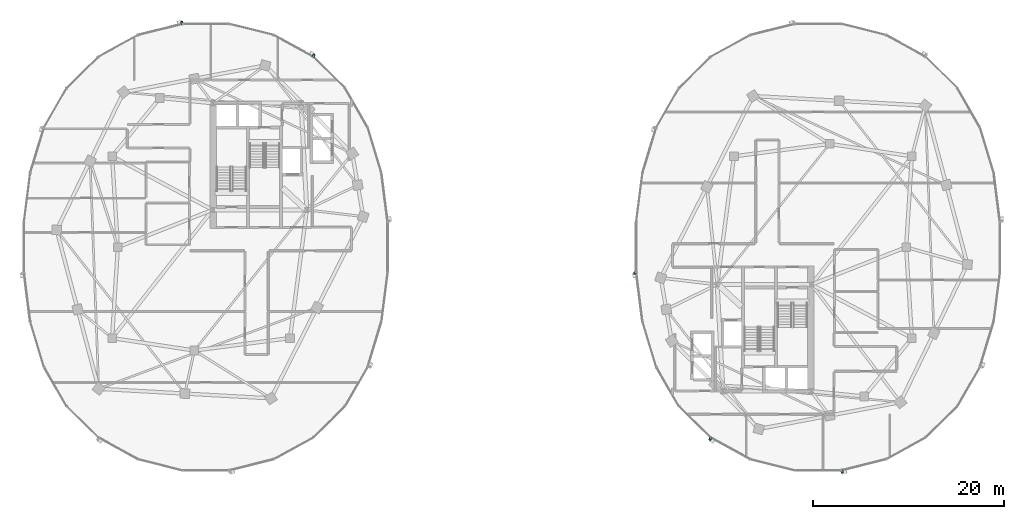
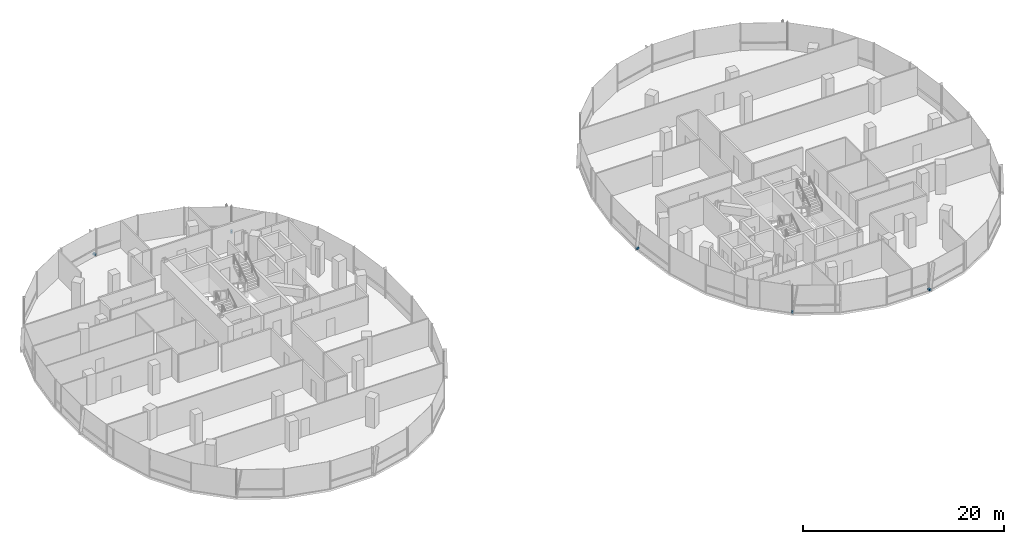
# One storey, part 17 of 23: 5 discrete accessories.
"""IFC4 building model written with IfcOpenShell, lengths in metres."""

from ifc_helpers import new_model, si_unit, direction, frame, origin, origin_2d, place, context, subcontext, project, spatial, rectangle, extrude, material, type_object, element, save


model = new_model("IFC4")

# Units and contexts
model_context = context("Model", 3, precision=1e-05, world=origin(), true_north=direction((0.0, 1.0)))
body_context = subcontext(model_context, "Body", "Model", "MODEL_VIEW")
ifc_project = project(units=[si_unit("LENGTHUNIT", "METRE"), si_unit("AREAUNIT", "SQUARE_METRE"), si_unit("VOLUMEUNIT", "CUBIC_METRE"), si_unit("PLANEANGLEUNIT", "RADIAN"), si_unit("MASSUNIT", "GRAM", prefix="KILO"), si_unit("THERMODYNAMICTEMPERATUREUNIT", "KELVIN"), si_unit("POWERUNIT", "WATT")], contexts=[model_context])

# Site, building, storey
site_placement = place(None, origin())
site = spatial("IfcSite", under=ifc_project, at=site_placement, CompositionType="ELEMENT")
building_placement = place(site_placement, origin())
building = spatial("IfcBuilding", under=site, at=building_placement, Name="Cundina Bronze Exchange", CompositionType="ELEMENT")
storey_placement = place(building_placement, frame((0.0, 0.0, 176.39990234375)))
storey = spatial("IfcBuildingStorey", under=building, at=storey_placement, Name="L46", CompositionType="ELEMENT", Elevation=176.39990234375)

# Discrete accessories
ifc_material = material(Name="Anodised Bronze Aluminium 6063-T6", Category="aluminium")
discrete_accessory_type = type_object("IfcDiscreteAccessoryType", Name="ACC-BRK-FIN", PredefinedType="BRACKET", material=ifc_material)
for number, where, z_axis, x_axis, name in (
    (1, (-20.733154296875, 20.015380859375, 0.10009765625), (0.0, 0.0, 1.0), (-0.875869093438, 0.482548786301, 0.0), "L46 Fin Support Bracket 5"),
    (2, (-34.492919921875, 23.44970703125, 0.10009765625), (0.0, 0.0, 1.0), (-0.970092713791, -0.242734683656, 0.0), "L46 Fin Support Bracket 1"),
    (3, (12.874267578125, -2.69189453125, 0.10009765625), (0.0, 0.0, 1.0), (0.126475984253, -0.9919696696, 0.0), "L46 Fin Support Bracket 1"),
    (4, (20.733154296875, -20.015380859375, 0.10009765625), (0.0, 0.0, 1.0), (0.875869093438, -0.482548786301, 0.0), "L46 Fin Support Bracket 5"),
    (5, (34.492919921875, -23.44970703125, 0.10009765625), (0.0, 0.0, 1.0), (0.970092713791, 0.242734683656, 0.0), "L46 Fin Support Bracket 1"),
):
    element("IfcDiscreteAccessory", number, at=place(storey_placement, frame(where, z_axis=z_axis, x_axis=x_axis)), inside=storey, type_object=discrete_accessory_type, Name=name, PredefinedType="BRACKET", context=body_context, shape_type="SweptSolid", body=[
        extrude(rectangle(XDim=0.219970703125, YDim=0.320068359375, at=origin_2d()), origin(), (0.0, 0.0, 1.0), 0.239990234375),
    ])

save(model, "model.ifc")
